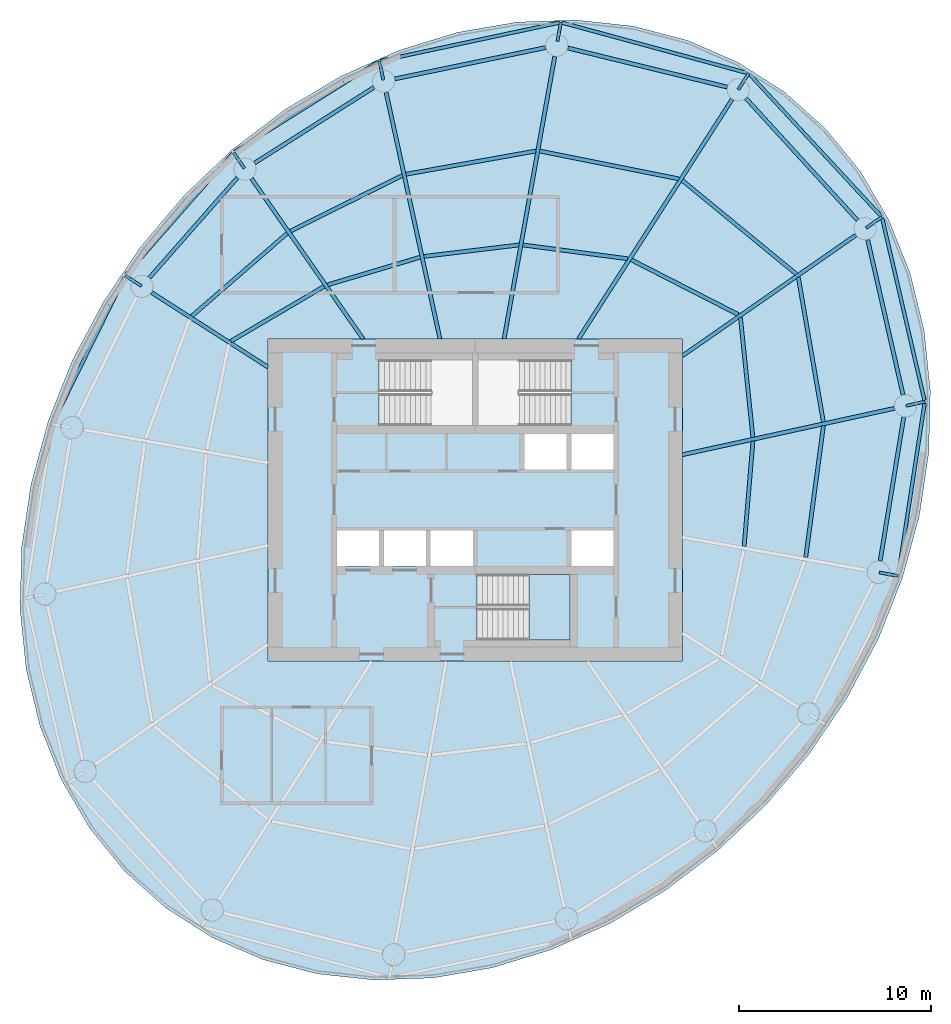
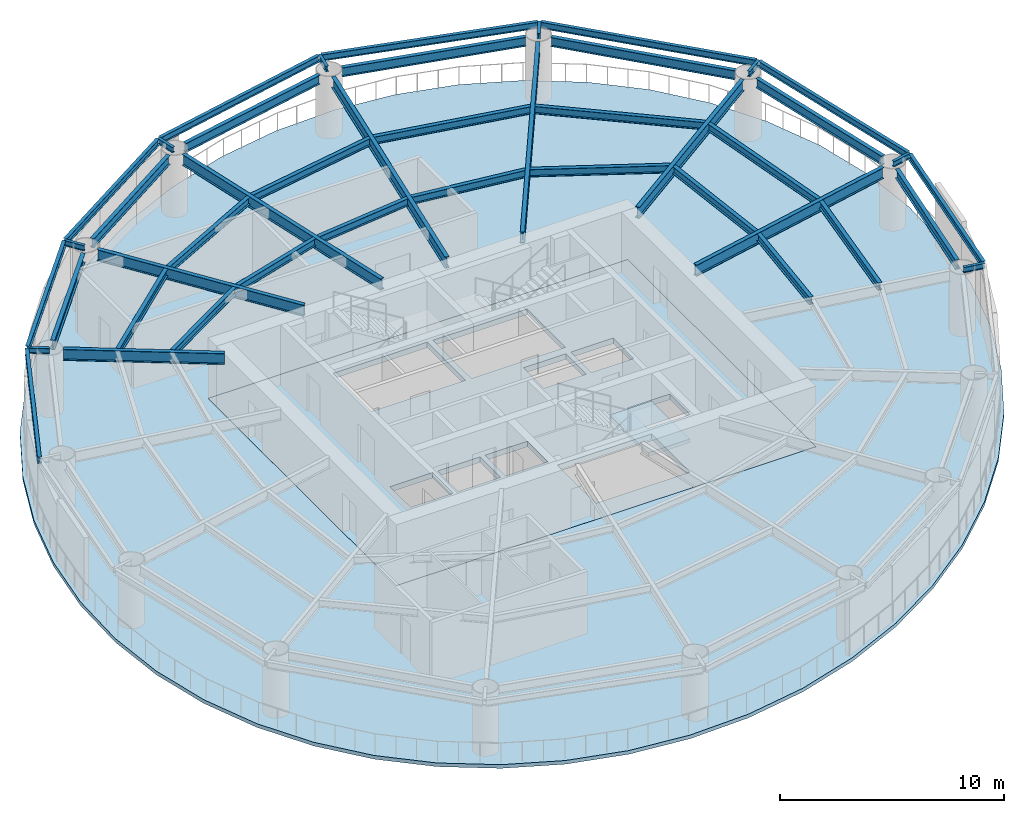
# One storey, part 2 of 8: 44 beams, 3 slabs, 1 element without a shape of its own.
"""IFC4 building model written with IfcOpenShell, lengths in metres."""

from ifc_helpers import new_model, si_unit, direction, frame, origin, origin_2d, place, context, subcontext, project, spatial, polyline, i_section, outline, extrude, material, layer, layer_set, material_profile, profile_set, type_object, element, aggregate, save


model = new_model("IFC4")

# Units and contexts
model_context = context("Model", 3, precision=1e-05, world=origin(), true_north=direction((0.0, 1.0)))
body_context = subcontext(model_context, "Body", "Model", "MODEL_VIEW")
ifc_project = project(units=[si_unit("LENGTHUNIT", "METRE"), si_unit("AREAUNIT", "SQUARE_METRE"), si_unit("VOLUMEUNIT", "CUBIC_METRE"), si_unit("PLANEANGLEUNIT", "RADIAN"), si_unit("MASSUNIT", "GRAM", prefix="KILO")], contexts=[model_context])

# Site, building, storey
site_placement = place(None, origin())
site = spatial("IfcSite", under=ifc_project, at=site_placement, CompositionType="ELEMENT")
building_placement = place(site_placement, origin())
building = spatial("IfcBuilding", under=site, at=building_placement, Name="Vermilion Reach Broadcast Tower", CompositionType="ELEMENT")
storey_placement = place(building_placement, frame((0.0, 0.0, 242.5)))
storey = spatial("IfcBuildingStorey", under=building, at=storey_placement, Name="L60", CompositionType="ELEMENT", Elevation=242.5)

# Beams
ifc_material_1 = material(Name="Steel S355J2", Category="steel")
ifc_material_profile_1 = material_profile(ifc_material_1, i_section(OverallWidth=0.175048828125, OverallDepth=0.35009765625, WebThickness=0.007080078125, FlangeThickness=0.010986328125, at=origin_2d()), Name="S355J2 HN 350x175x7x11")
ifc_profile_set_1 = profile_set([ifc_material_profile_1], Name="Steel S355J2")
beam_type_1 = type_object("IfcBeamType", Name="EB4 HN 350x175x7x11", PredefinedType="BEAM", material=ifc_profile_set_1)
beam_1_placement = place(storey_placement, frame((8.175537109375, 22.2451171875, 3.22509765625), z_axis=(-0.964931144882, 0.26250311548, 0.0), x_axis=(-0.26250311548, -0.964931144882, 0.0)))
element("IfcBeam", 1, at=beam_1_placement, inside=storey, type_object=beam_type_1, Name="Edge beam EB4-01", PredefinedType="BEAM", context=body_context, shape_type="SweptSolid", body=[
    extrude(i_section(OverallWidth=0.175048828125, OverallDepth=0.35009765625, WebThickness=0.007080078125, FlangeThickness=0.010986328125, at=origin_2d()), origin(), (0.0, 0.0, 1.0), 9.98876953125),
])
beam_2_placement = place(storey_placement, frame((-1.61474609375, 24.8701171875, 3.22509765625), z_axis=(-0.977909243835, -0.209029928054, 0.0), x_axis=(0.209029928054, -0.977909243835, 0.0)))
element("IfcBeam", 2, at=beam_2_placement, inside=storey, type_object=beam_type_1, Name="Edge beam EB4-02", PredefinedType="BEAM", context=body_context, shape_type="SweptSolid", body=[
    extrude(i_section(OverallWidth=0.175048828125, OverallDepth=0.35009765625, WebThickness=0.007080078125, FlangeThickness=0.010986328125, at=origin_2d()), origin(), (0.0, 0.0, 1.0), 9.52001953125),
])
beam_3_placement = place(storey_placement, frame((-11.0654296875, 22.822021484375, 3.22509765625), z_axis=(-0.847297137306, -0.531119159053, 0.0), x_axis=(0.531119159053, -0.847297137306, 0.0)))
element("IfcBeam", 3, at=beam_3_placement, inside=storey, type_object=beam_type_1, Name="Edge beam EB4-03", PredefinedType="BEAM", context=body_context, shape_type="SweptSolid", body=[
    extrude(i_section(OverallWidth=0.175048828125, OverallDepth=0.35009765625, WebThickness=0.007080078125, FlangeThickness=0.010986328125, at=origin_2d()), origin(), (0.0, 0.0, 1.0), 8.81201171875),
])
beam_4_placement = place(storey_placement, frame((-18.646240234375, 18.0439453125, 3.22509765625), z_axis=(-0.659728565975, -0.751503971537, 0.0), x_axis=(0.751503971537, -0.659728565975, 0.0)))
element("IfcBeam", 4, at=beam_4_placement, inside=storey, type_object=beam_type_1, Name="Edge beam EB4-04", PredefinedType="BEAM", context=body_context, shape_type="SweptSolid", body=[
    extrude(i_section(OverallWidth=0.175048828125, OverallDepth=0.35009765625, WebThickness=0.007080078125, FlangeThickness=0.010986328125, at=origin_2d()), origin(), (0.0, 0.0, 1.0), 8.38232421875),
])
beam_5_placement = place(storey_placement, frame((-24.259765625, 11.619873046875, 3.22509765625), z_axis=(-0.4421676497, -0.896932421958, 0.0), x_axis=(0.896932421958, -0.4421676497, 0.0)))
element("IfcBeam", 5, at=beam_5_placement, inside=storey, type_object=beam_type_1, Name="Edge beam EB4-05", PredefinedType="BEAM", context=body_context, shape_type="SweptSolid", body=[
    extrude(i_section(OverallWidth=0.175048828125, OverallDepth=0.35009765625, WebThickness=0.007080078125, FlangeThickness=0.010986328125, at=origin_2d()), origin(), (0.0, 0.0, 1.0), 8.46923828125),
])
beam_6_placement = place(storey_placement, frame((16.050537109375, -3.87939453125, 3.22509765625), z_axis=(0.15104669572, 0.988526628732, 0.0), x_axis=(-0.988526628732, 0.15104669572, 0.0)))
element("IfcBeam", 6, at=beam_6_placement, inside=storey, type_object=beam_type_1, Name="Edge beam EB4-14", PredefinedType="BEAM", context=body_context, shape_type="SweptSolid", body=[
    extrude(i_section(OverallWidth=0.175048828125, OverallDepth=0.35009765625, WebThickness=0.007080078125, FlangeThickness=0.010986328125, at=origin_2d()), origin(), (0.0, 0.0, 1.0), 9.02392578125),
])
beam_7_placement = place(storey_placement, frame((17.40869140625, 5.193603515625, 3.22509765625), z_axis=(-0.226296896965, 0.974058373212, 0.0), x_axis=(-0.974058373212, -0.226296896965, 0.0)))
element("IfcBeam", 7, at=beam_7_placement, inside=storey, type_object=beam_type_1, Name="Edge beam EB4-15", PredefinedType="BEAM", context=body_context, shape_type="SweptSolid", body=[
    extrude(i_section(OverallWidth=0.175048828125, OverallDepth=0.35009765625, WebThickness=0.007080078125, FlangeThickness=0.010986328125, at=origin_2d()), origin(), (0.0, 0.0, 1.0), 9.7236328125),
])
beam_8_placement = place(storey_placement, frame((15.138427734375, 14.79931640625, 3.22509765625), z_axis=(-0.680030753831, 0.733183588089, 0.0), x_axis=(-0.733183588089, -0.680030753831, 0.0)))
element("IfcBeam", 8, at=beam_8_placement, inside=storey, type_object=beam_type_1, Name="Edge beam EB4-16", PredefinedType="BEAM", context=body_context, shape_type="SweptSolid", body=[
    extrude(i_section(OverallWidth=0.175048828125, OverallDepth=0.35009765625, WebThickness=0.007080078125, FlangeThickness=0.010986328125, at=origin_2d()), origin(), (0.0, 0.0, 1.0), 10.0498046875),
])
ifc_material_2 = material(Name="Steel S355J2", Category="steel")
ifc_material_profile_2 = material_profile(ifc_material_2, i_section(OverallWidth=0.199951171875, OverallDepth=0.60009765625, WebThickness=0.010986328125, FlangeThickness=0.01708984375, at=origin_2d()), Name="S355J2 HN 600x200x11x17")
ifc_profile_set_2 = profile_set([ifc_material_profile_2], Name="Steel S355J2")
beam_type_2 = type_object("IfcBeamType", Name="G4 HN 600x200x11x17", PredefinedType="BEAM", material=ifc_profile_set_2)
beam_9_placement = place(storey_placement, frame((-0.613525390625, 8.39990234375, 3.10009765625), z_axis=(0.539796447586, 0.84179557802, 0.0), x_axis=(-0.84179557802, 0.539796447586, 0.0)))
element("IfcBeam", 9, at=beam_9_placement, inside=storey, type_object=beam_type_2, Name="Girder G4-01", PredefinedType="BEAM", context=body_context, shape_type="SweptSolid", body=[
    extrude(i_section(OverallWidth=0.199951171875, OverallDepth=0.60009765625, WebThickness=0.010986328125, FlangeThickness=0.01708984375, at=origin_2d()), origin(), (0.0, 0.0, 1.0), 14.8076171875),
])
beam_10_placement = place(storey_placement, frame((-4.4931640625, 8.39990234375, 3.10009765625), z_axis=(0.176574729047, 0.984287237072, 0.0), x_axis=(-0.984287237072, 0.176574729047, 0.0)))
element("IfcBeam", 10, at=beam_10_placement, inside=storey, type_object=beam_type_2, Name="Girder G4-02", PredefinedType="BEAM", context=body_context, shape_type="SweptSolid", body=[
    extrude(i_section(OverallWidth=0.199951171875, OverallDepth=0.60009765625, WebThickness=0.010986328125, FlangeThickness=0.01708984375, at=origin_2d()), origin(), (0.0, 0.0, 1.0), 14.935302734375),
])
beam_11_placement = place(storey_placement, frame((-7.836181640625, 8.39990234375, 3.10009765625), z_axis=(-0.213538346548, 0.976934682849, 0.0), x_axis=(-0.976934682849, -0.213538346548, 0.0)))
element("IfcBeam", 11, at=beam_11_placement, inside=storey, type_object=beam_type_2, Name="Girder G4-03", PredefinedType="BEAM", context=body_context, shape_type="SweptSolid", body=[
    extrude(i_section(OverallWidth=0.199951171875, OverallDepth=0.60009765625, WebThickness=0.010986328125, FlangeThickness=0.01708984375, at=origin_2d()), origin(), (0.0, 0.0, 1.0), 13.135498046875),
])
beam_12_placement = place(storey_placement, frame((-11.8447265625, 8.39990234375, 3.10009765625), z_axis=(-0.571134149017, 0.8208567377, 0.0), x_axis=(-0.8208567377, -0.571134149017, 0.0)))
element("IfcBeam", 12, at=beam_12_placement, inside=storey, type_object=beam_type_2, Name="Girder G4-04", PredefinedType="BEAM", context=body_context, shape_type="SweptSolid", body=[
    extrude(i_section(OverallWidth=0.199951171875, OverallDepth=0.60009765625, WebThickness=0.010986328125, FlangeThickness=0.01708984375, at=origin_2d()), origin(), (0.0, 0.0, 1.0), 10.16552734375),
])
beam_13_placement = place(storey_placement, frame((-16.800048828125, 6.925537109375, 3.10009765625), z_axis=(-0.841798504642, 0.539791883584, 0.0), x_axis=(-0.539791883584, -0.841798504642, 0.0)))
element("IfcBeam", 13, at=beam_13_placement, inside=storey, type_object=beam_type_2, Name="Girder G4-05", PredefinedType="BEAM", context=body_context, shape_type="SweptSolid", body=[
    extrude(i_section(OverallWidth=0.199951171875, OverallDepth=0.60009765625, WebThickness=0.010986328125, FlangeThickness=0.01708984375, at=origin_2d()), origin(), (0.0, 0.0, 1.0), 7.1962890625),
])
beam_14_placement = place(storey_placement, frame((4.800048828125, 2.360595703125, 3.10009765625), z_axis=(0.976930175286, 0.213558967537, 0.0), x_axis=(-0.213558967537, 0.976930175286, 0.0)))
element("IfcBeam", 14, at=beam_14_placement, inside=storey, type_object=beam_type_2, Name="Girder G4-15", PredefinedType="BEAM", context=body_context, shape_type="SweptSolid", body=[
    extrude(i_section(OverallWidth=0.199951171875, OverallDepth=0.60009765625, WebThickness=0.010986328125, FlangeThickness=0.01708984375, at=origin_2d()), origin(), (0.0, 0.0, 1.0), 11.29833984375),
])
beam_15_placement = place(storey_placement, frame((4.800048828125, 7.5146484375, 3.10009765625), z_axis=(0.820848627818, 0.571145804684, 0.0), x_axis=(-0.571145804684, 0.820848627818, 0.0)))
element("IfcBeam", 15, at=beam_15_placement, inside=storey, type_object=beam_type_2, Name="Girder G4-16", PredefinedType="BEAM", context=body_context, shape_type="SweptSolid", body=[
    extrude(i_section(OverallWidth=0.199951171875, OverallDepth=0.60009765625, WebThickness=0.010986328125, FlangeThickness=0.01708984375, at=origin_2d()), origin(), (0.0, 0.0, 1.0), 10.99560546875),
])
ifc_material_3 = material(Name="Steel S355J2", Category="steel")
ifc_material_profile_3 = material_profile(ifc_material_3, i_section(OverallWidth=0.14990234375, OverallDepth=0.300048828125, WebThickness=0.006591796875, FlangeThickness=0.009033203125, at=origin_2d()), Name="S355J2 HN 300x150x6.5x9")
ifc_profile_set_3 = profile_set([ifc_material_profile_3], Name="Steel S355J2")
beam_type_3 = type_object("IfcBeamType", Name="GS4 HN 300x150x6.5x9", PredefinedType="BEAM", material=ifc_profile_set_3)
for number, where, z_axis, x_axis, name in (
    (16, (7.711669921875, 21.382568359375, 3.25), (0.539794777091, 0.841796649213, 0.0), (-0.841796649213, 0.539794777091, 0.0), "Cantilever stub GS4-01"),
    (17, (-1.712158203125, 23.902587890625, 3.25), (0.176500327456, 0.984300581331, 0.0), (-0.984300581331, 0.176500327456, 0.0), "Cantilever stub GS4-02"),
):
    element("IfcBeam", number, at=place(storey_placement, frame(where, z_axis=z_axis, x_axis=x_axis)), inside=storey, type_object=beam_type_3, Name=name, PredefinedType="BEAM", context=body_context, shape_type="SweptSolid", body=[
        extrude(i_section(OverallWidth=0.14990234375, OverallDepth=0.300048828125, WebThickness=0.006591796875, FlangeThickness=0.009033203125, at=origin_2d()), origin(), (0.0, 0.0, 1.0), 1.0),
    ])
beam_16_placement = place(storey_placement, frame((-10.7841796875, 21.887451171875, 3.25), z_axis=(-0.213594957215, 0.976922307173, 0.0), x_axis=(-0.976922307173, -0.213594957215, 0.0)))
element("IfcBeam", 18, at=beam_16_placement, inside=storey, type_object=beam_type_3, Name="Cantilever stub GS4-03", PredefinedType="BEAM", context=body_context, shape_type="SweptSolid", body=[
    extrude(i_section(OverallWidth=0.14990234375, OverallDepth=0.300048828125, WebThickness=0.006591796875, FlangeThickness=0.009033203125, at=origin_2d()), origin(), (0.0, 0.0, 1.0), 1.000244140625),
])
for number, where, z_axis, x_axis, name in (
    (19, (-18.024169921875, 17.281005859375, 3.25), (-0.570985808908, 0.82095992961, 0.0), (-0.82095992961, -0.570985808908, 0.0), "Cantilever stub GS4-04"),
    (20, (-23.384521484375, 11.147705078125, 3.25), (-0.841796649213, 0.539794777091, 0.0), (-0.539794777091, -0.841796649213, 0.0), "Cantilever stub GS4-05"),
):
    element("IfcBeam", number, at=place(storey_placement, frame(where, z_axis=z_axis, x_axis=x_axis)), inside=storey, type_object=beam_type_3, Name=name, PredefinedType="BEAM", context=body_context, shape_type="SweptSolid", body=[
        extrude(i_section(OverallWidth=0.14990234375, OverallDepth=0.300048828125, WebThickness=0.006591796875, FlangeThickness=0.009033203125, at=origin_2d()), origin(), (0.0, 0.0, 1.0), 1.0),
    ])
beam_17_placement = place(storey_placement, frame((15.054931640625, -3.777099609375, 3.25), z_axis=(0.984292973606, -0.176542748677, 0.0), x_axis=(0.176542748677, 0.984292973606, 0.0)))
element("IfcBeam", 21, at=beam_17_placement, inside=storey, type_object=beam_type_3, Name="Cantilever stub GS4-14", PredefinedType="BEAM", context=body_context, shape_type="SweptSolid", body=[
    extrude(i_section(OverallWidth=0.14990234375, OverallDepth=0.300048828125, WebThickness=0.006591796875, FlangeThickness=0.009033203125, at=origin_2d()), origin(), (0.0, 0.0, 1.0), 0.999755859375),
])
for number, where, z_axis, x_axis, name in (
    (22, (16.44873046875, 4.906982421875, 3.25), (0.976922307173, 0.213594957215, 0.0), (-0.213594957215, 0.976922307173, 0.0), "Cantilever stub GS4-15"),
    (23, (14.368896484375, 14.172607421875, 3.25), (0.820845498428, 0.571150302207, 0.0), (-0.571150302207, 0.820845498428, 0.0), "Cantilever stub GS4-16"),
):
    element("IfcBeam", number, at=place(storey_placement, frame(where, z_axis=z_axis, x_axis=x_axis)), inside=storey, type_object=beam_type_3, Name=name, PredefinedType="BEAM", context=body_context, shape_type="SweptSolid", body=[
        extrude(i_section(OverallWidth=0.14990234375, OverallDepth=0.300048828125, WebThickness=0.006591796875, FlangeThickness=0.009033203125, at=origin_2d()), origin(), (0.0, 0.0, 1.0), 1.000244140625),
    ])
ifc_material_4 = material(Name="Steel S355J2", Category="steel")
ifc_material_profile_4 = material_profile(ifc_material_4, i_section(OverallWidth=0.199951171875, OverallDepth=0.5, WebThickness=0.010009765625, FlangeThickness=0.01611328125, at=origin_2d()), Name="S355J2 HN 500x200x10x16")
ifc_profile_set_4 = profile_set([ifc_material_profile_4], Name="Steel S355J2")
beam_type_4 = type_object("IfcBeamType", Name="RB4 HN 500x200x10x16", PredefinedType="BEAM", material=ifc_profile_set_4)
beam_18_placement = place(storey_placement, frame((7.120849609375, 21.51318359375, 3.14990234375), z_axis=(-0.971158622271, 0.238434331398, 0.0), x_axis=(-0.238434331398, -0.971158622271, 0.0)))
element("IfcBeam", 24, at=beam_18_placement, inside=storey, type_object=beam_type_4, Name="Ring beam RB4-01", PredefinedType="BEAM", context=body_context, shape_type="SweptSolid", body=[
    extrude(i_section(OverallWidth=0.199951171875, OverallDepth=0.5, WebThickness=0.010009765625, FlangeThickness=0.01611328125, at=origin_2d()), origin(), (0.0, 0.0, 1.0), 8.534423828125),
])
beam_19_placement = place(storey_placement, frame((-2.337646484375, 23.569091796875, 3.14990234375), z_axis=(-0.97912342484, -0.203266620302, 0.0), x_axis=(0.203266620302, -0.97912342484, 0.0)))
element("IfcBeam", 25, at=beam_19_placement, inside=storey, type_object=beam_type_4, Name="Ring beam RB4-02", PredefinedType="BEAM", context=body_context, shape_type="SweptSolid", body=[
    extrude(i_section(OverallWidth=0.199951171875, OverallDepth=0.5, WebThickness=0.010009765625, FlangeThickness=0.01611328125, at=origin_2d()), origin(), (0.0, 0.0, 1.0), 8.01123046875),
])
beam_20_placement = place(storey_placement, frame((-11.27587890625, 21.497314453125, 3.14990234375), z_axis=(-0.84446426774, -0.535611893549, 0.0), x_axis=(0.535611893549, -0.84446426774, 0.0)))
element("IfcBeam", 26, at=beam_20_placement, inside=storey, type_object=beam_type_4, Name="Ring beam RB4-03", PredefinedType="BEAM", context=body_context, shape_type="SweptSolid", body=[
    extrude(i_section(OverallWidth=0.199951171875, OverallDepth=0.5, WebThickness=0.010009765625, FlangeThickness=0.01611328125, at=origin_2d()), origin(), (0.0, 0.0, 1.0), 7.3544921875),
])
beam_21_placement = place(storey_placement, frame((-18.3896484375, 16.786376953125, 3.14990234375), z_axis=(-0.660565141761, -0.750768735024, 0.0), x_axis=(0.750768735024, -0.660565141761, 0.0)))
element("IfcBeam", 27, at=beam_21_placement, inside=storey, type_object=beam_type_4, Name="Ring beam RB4-04", PredefinedType="BEAM", context=body_context, shape_type="SweptSolid", body=[
    extrude(i_section(OverallWidth=0.199951171875, OverallDepth=0.5, WebThickness=0.010009765625, FlangeThickness=0.01611328125, at=origin_2d()), origin(), (0.0, 0.0, 1.0), 6.9287109375),
])
beam_22_placement = place(storey_placement, frame((15.099609375, -3.175537109375, 3.14990234375), z_axis=(0.161778110263, 0.986827159659, 0.0), x_axis=(-0.986827159659, 0.161778110263, 0.0)))
element("IfcBeam", 28, at=beam_22_placement, inside=storey, type_object=beam_type_4, Name="Ring beam RB4-14", PredefinedType="BEAM", context=body_context, shape_type="SweptSolid", body=[
    extrude(i_section(OverallWidth=0.199951171875, OverallDepth=0.5, WebThickness=0.010009765625, FlangeThickness=0.01611328125, at=origin_2d()), origin(), (0.0, 0.0, 1.0), 7.584716796875),
])
beam_23_placement = place(storey_placement, frame((16.290283203125, 5.486572265625, 3.14990234375), z_axis=(-0.222283068275, 0.974982172944, 0.0), x_axis=(-0.974982172944, -0.222283068275, 0.0)))
element("IfcBeam", 29, at=beam_23_placement, inside=storey, type_object=beam_type_4, Name="Ring beam RB4-15", PredefinedType="BEAM", context=body_context, shape_type="SweptSolid", body=[
    extrude(i_section(OverallWidth=0.199951171875, OverallDepth=0.5, WebThickness=0.010009765625, FlangeThickness=0.01611328125, at=origin_2d()), origin(), (0.0, 0.0, 1.0), 8.272705078125),
])
beam_24_placement = place(storey_placement, frame((13.9130859375, 14.580078125, 3.14990234375), z_axis=(-0.674868141417, 0.737938338684, 0.0), x_axis=(-0.737938338684, -0.674868141417, 0.0)))
element("IfcBeam", 30, at=beam_24_placement, inside=storey, type_object=beam_type_4, Name="Ring beam RB4-16", PredefinedType="BEAM", context=body_context, shape_type="SweptSolid", body=[
    extrude(i_section(OverallWidth=0.199951171875, OverallDepth=0.5, WebThickness=0.010009765625, FlangeThickness=0.01611328125, at=origin_2d()), origin(), (0.0, 0.0, 1.0), 8.601318359375),
])
ifc_material_5 = material(Name="Steel S355J2", Category="steel")
ifc_material_profile_5 = material_profile(ifc_material_5, i_section(OverallWidth=0.199951171875, OverallDepth=0.39990234375, WebThickness=0.008056640625, FlangeThickness=0.012939453125, at=origin_2d()), Name="S355J2 HN 400x200x8x13")
ifc_profile_set_5 = profile_set([ifc_material_profile_5], Name="Steel S355J2")
beam_type_5 = type_object("IfcBeamType", Name="SB4 HN 400x200x8x13", PredefinedType="BEAM", material=ifc_profile_set_5)
beam_25_placement = place(storey_placement, frame((1.94140625, 12.5693359375, 3.199951171875), z_axis=(-0.991458070019, 0.130425823341, 0.0), x_axis=(-0.130425823341, -0.991458070019, 0.0)))
element("IfcBeam", 31, at=beam_25_placement, inside=storey, type_object=beam_type_5, Name="Secondary beam SB4-01-1", PredefinedType="BEAM", context=body_context, shape_type="SweptSolid", body=[
    extrude(i_section(OverallWidth=0.199951171875, OverallDepth=0.39990234375, WebThickness=0.008056640625, FlangeThickness=0.012939453125, at=origin_2d()), origin(), (0.0, 0.0, 1.0), 5.50341796875),
])
beam_26_placement = place(storey_placement, frame((4.60986328125, 16.73095703125, 3.199951171875), z_axis=(-0.9805717807, 0.196160604851, 0.0), x_axis=(-0.196160604851, -0.9805717807, 0.0)))
element("IfcBeam", 32, at=beam_26_placement, inside=storey, type_object=beam_type_5, Name="Secondary beam SB4-01-2", PredefinedType="BEAM", context=body_context, shape_type="SweptSolid", body=[
    extrude(i_section(OverallWidth=0.199951171875, OverallDepth=0.39990234375, WebThickness=0.008056640625, FlangeThickness=0.012939453125, at=origin_2d()), origin(), (0.0, 0.0, 1.0), 7.390380859375),
])
beam_27_placement = place(storey_placement, frame((-3.718017578125, 13.28759765625, 3.199951171875), z_axis=(-0.99278788328, -0.119884189168, 0.0), x_axis=(0.119884189168, -0.99278788328, 0.0)))
element("IfcBeam", 33, at=beam_27_placement, inside=storey, type_object=beam_type_5, Name="Secondary beam SB4-02-1", PredefinedType="BEAM", context=body_context, shape_type="SweptSolid", body=[
    extrude(i_section(OverallWidth=0.199951171875, OverallDepth=0.39990234375, WebThickness=0.008056640625, FlangeThickness=0.012939453125, at=origin_2d()), origin(), (0.0, 0.0, 1.0), 4.9892578125),
])
beam_28_placement = place(storey_placement, frame((-2.840087890625, 18.181640625, 3.199951171875), z_axis=(-0.984415281892, -0.175859468829, 0.0), x_axis=(0.175859468829, -0.984415281892, 0.0)))
element("IfcBeam", 34, at=beam_28_placement, inside=storey, type_object=beam_type_5, Name="Secondary beam SB4-02-2", PredefinedType="BEAM", context=body_context, shape_type="SweptSolid", body=[
    extrude(i_section(OverallWidth=0.199951171875, OverallDepth=0.39990234375, WebThickness=0.008056640625, FlangeThickness=0.012939453125, at=origin_2d()), origin(), (0.0, 0.0, 1.0), 6.874755859375),
])
beam_29_placement = place(storey_placement, frame((-8.8671875, 12.64892578125, 3.199951171875), z_axis=(-0.958173460215, -0.28618808525, 0.0), x_axis=(0.28618808525, -0.958173460215, 0.0)))
element("IfcBeam", 35, at=beam_29_placement, inside=storey, type_object=beam_type_5, Name="Secondary beam SB4-03-1", PredefinedType="BEAM", context=body_context, shape_type="SweptSolid", body=[
    extrude(i_section(OverallWidth=0.199951171875, OverallDepth=0.39990234375, WebThickness=0.008056640625, FlangeThickness=0.012939453125, at=origin_2d()), origin(), (0.0, 0.0, 1.0), 5.02197265625),
])
beam_30_placement = place(storey_placement, frame((-9.79833984375, 16.908935546875, 3.199951171875), z_axis=(-0.895183615542, -0.445697536974, 0.0), x_axis=(0.445697536974, -0.895183615542, 0.0)))
element("IfcBeam", 36, at=beam_30_placement, inside=storey, type_object=beam_type_5, Name="Secondary beam SB4-03-2", PredefinedType="BEAM", context=body_context, shape_type="SweptSolid", body=[
    extrude(i_section(OverallWidth=0.199951171875, OverallDepth=0.39990234375, WebThickness=0.008056640625, FlangeThickness=0.012939453125, at=origin_2d()), origin(), (0.0, 0.0, 1.0), 6.508544921875),
])
beam_31_placement = place(storey_placement, frame((-13.866455078125, 11.130615234375, 3.199951171875), z_axis=(-0.862172572268, -0.506614701356, 0.0), x_axis=(0.506614701356, -0.862172572268, 0.0)))
element("IfcBeam", 37, at=beam_31_placement, inside=storey, type_object=beam_type_5, Name="Secondary beam SB4-04-1", PredefinedType="BEAM", context=body_context, shape_type="SweptSolid", body=[
    extrude(i_section(OverallWidth=0.199951171875, OverallDepth=0.39990234375, WebThickness=0.008056640625, FlangeThickness=0.012939453125, at=origin_2d()), origin(), (0.0, 0.0, 1.0), 5.632568359375),
])
beam_32_placement = place(storey_placement, frame((-15.791259765625, 13.89697265625, 3.199951171875), z_axis=(-0.755129308567, -0.655575874589, 0.0), x_axis=(0.655575874589, -0.755129308567, 0.0)))
element("IfcBeam", 38, at=beam_32_placement, inside=storey, type_object=beam_type_5, Name="Secondary beam SB4-04-2", PredefinedType="BEAM", context=body_context, shape_type="SweptSolid", body=[
    extrude(i_section(OverallWidth=0.199951171875, OverallDepth=0.39990234375, WebThickness=0.008056640625, FlangeThickness=0.012939453125, at=origin_2d()), origin(), (0.0, 0.0, 1.0), 6.57958984375),
])
beam_33_placement = place(storey_placement, frame((8.012451171875, -2.412109375, 3.199951171875), z_axis=(0.08339866655, 0.996516262997, 0.0), x_axis=(-0.996516262997, 0.08339866655, 0.0)))
element("IfcBeam", 39, at=beam_33_placement, inside=storey, type_object=beam_type_5, Name="Secondary beam SB4-14-1", PredefinedType="BEAM", context=body_context, shape_type="SweptSolid", body=[
    extrude(i_section(OverallWidth=0.199951171875, OverallDepth=0.39990234375, WebThickness=0.008056640625, FlangeThickness=0.012939453125, at=origin_2d()), origin(), (0.0, 0.0, 1.0), 5.49169921875),
])
beam_34_placement = place(storey_placement, frame((11.221435546875, -2.98779296875, 3.199951171875), z_axis=(0.133486718782, 0.991050602093, 0.0), x_axis=(-0.991050602093, 0.133486718782, 0.0)))
element("IfcBeam", 40, at=beam_34_placement, inside=storey, type_object=beam_type_5, Name="Secondary beam SB4-14-2", PredefinedType="BEAM", context=body_context, shape_type="SweptSolid", body=[
    extrude(i_section(OverallWidth=0.199951171875, OverallDepth=0.39990234375, WebThickness=0.008056640625, FlangeThickness=0.012939453125, at=origin_2d()), origin(), (0.0, 0.0, 1.0), 6.913330078125),
])
beam_35_placement = place(storey_placement, frame((8.46875, 3.264892578125, 3.199951171875), z_axis=(-0.103532173355, 0.994626105167, 0.0), x_axis=(-0.994626105167, -0.103532173355, 0.0)))
element("IfcBeam", 41, at=beam_35_placement, inside=storey, type_object=beam_type_5, Name="Secondary beam SB4-15-1", PredefinedType="BEAM", context=body_context, shape_type="SweptSolid", body=[
    extrude(i_section(OverallWidth=0.199951171875, OverallDepth=0.39990234375, WebThickness=0.008056640625, FlangeThickness=0.012939453125, at=origin_2d()), origin(), (0.0, 0.0, 1.0), 6.26318359375),
])
beam_36_placement = place(storey_placement, frame((12.141357421875, 4.067626953125, 3.199951171875), z_axis=(-0.170926997669, 0.985283695931, 0.0), x_axis=(-0.985283695931, -0.170926997669, 0.0)))
element("IfcBeam", 42, at=beam_36_placement, inside=storey, type_object=beam_type_5, Name="Secondary beam SB4-15-2", PredefinedType="BEAM", context=body_context, shape_type="SweptSolid", body=[
    extrude(i_section(OverallWidth=0.199951171875, OverallDepth=0.39990234375, WebThickness=0.008056640625, FlangeThickness=0.012939453125, at=origin_2d()), origin(), (0.0, 0.0, 1.0), 7.63720703125),
])
beam_37_placement = place(storey_placement, frame((7.707763671875, 9.659423828125, 3.199951171875), z_axis=(-0.89015575218, 0.455656380249, 0.0), x_axis=(-0.455656380249, -0.89015575218, 0.0)))
element("IfcBeam", 43, at=beam_37_placement, inside=storey, type_object=beam_type_5, Name="Secondary beam SB4-16-1", PredefinedType="BEAM", context=body_context, shape_type="SweptSolid", body=[
    extrude(i_section(OverallWidth=0.199951171875, OverallDepth=0.39990234375, WebThickness=0.008056640625, FlangeThickness=0.012939453125, at=origin_2d()), origin(), (0.0, 0.0, 1.0), 6.25439453125),
])
beam_38_placement = place(storey_placement, frame((10.73681640625, 11.76708984375, 3.199951171875), z_axis=(-0.772952000494, 0.6344645025, 0.0), x_axis=(-0.6344645025, -0.772952000494, 0.0)))
element("IfcBeam", 44, at=beam_38_placement, inside=storey, type_object=beam_type_5, Name="Secondary beam SB4-16-2", PredefinedType="BEAM", context=body_context, shape_type="SweptSolid", body=[
    extrude(i_section(OverallWidth=0.199951171875, OverallDepth=0.39990234375, WebThickness=0.008056640625, FlangeThickness=0.012939453125, at=origin_2d()), origin(), (0.0, 0.0, 1.0), 7.689697265625),
])

# Slab
ifc_material_6 = material(Name="Concrete C40", Category="concrete")
ifc_layer_1 = layer(ifc_material_6, 0.300048828125)
ifc_layer_set_1 = layer_set([ifc_layer_1], Name="Core floor slab 300 mm Concrete C40")
slab_type_1 = type_object("IfcSlabType", Name="Core floor slab 300 mm Concrete C40", PredefinedType="FLOOR", material=ifc_layer_set_1)
slab_1_placement = place(storey_placement, frame((0.0, 0.0, -0.300048828125)))
element("IfcSlab", 45, at=slab_1_placement, inside=storey, type_object=slab_type_1, Name="L60 core floor", PredefinedType="FLOOR", context=body_context, shape_type="SweptSolid", body=[
    extrude(outline(polyline([(-16.800048828125, -8.39990234375), (4.800048828125, -8.39990234375), (4.800048828125, 8.39990234375), (-16.800048828125, 8.39990234375), (-16.800048828125, -8.39990234375)]), holes=[polyline([(-3.433349609375, 1.60009765625), (-1.24169921875, 1.60009765625), (-1.24169921875, 3.429931640625), (-3.433349609375, 3.429931640625), (-3.433349609375, 1.60009765625)]), polyline([(-0.99169921875, 1.60009765625), (1.199951171875, 1.60009765625), (1.199951171875, 3.429931640625), (-0.99169921875, 3.429931640625), (-0.99169921875, 1.60009765625)]), polyline([(-13.199951171875, -3.429931640625), (-11.00830078125, -3.429931640625), (-11.00830078125, -1.60009765625), (-13.199951171875, -1.60009765625), (-13.199951171875, -3.429931640625)]), polyline([(-10.75830078125, -3.429931640625), (-8.566650390625, -3.429931640625), (-8.566650390625, -1.60009765625), (-10.75830078125, -1.60009765625), (-10.75830078125, -3.429931640625)]), polyline([(-8.316650390625, -3.429931640625), (-6.125, -3.429931640625), (-6.125, -1.60009765625), (-8.316650390625, -1.60009765625), (-8.316650390625, -3.429931640625)]), polyline([(-0.99169921875, -3.429931640625), (1.199951171875, -3.429931640625), (1.199951171875, -1.60009765625), (-0.99169921875, -1.60009765625), (-0.99169921875, -3.429931640625)]), polyline([(-10.999267578125, 3.8798828125), (-6.14990234375, 3.8798828125), (-6.14990234375, 7.300048828125), (-10.999267578125, 7.300048828125), (-10.999267578125, 3.8798828125)]), polyline([(-1.000732421875, 7.300048828125), (-5.85009765625, 7.300048828125), (-5.85009765625, 3.8798828125), (-1.000732421875, 3.8798828125), (-1.000732421875, 7.300048828125)]), polyline([(-5.8994140625, -7.300048828125), (-1.050048828125, -7.300048828125), (-1.050048828125, -3.8798828125), (-5.8994140625, -3.8798828125), (-5.8994140625, -7.300048828125)])]), origin(), (0.0, 0.0, 1.0), 0.300048828125),
])

# Stair, slab
ifc_material_7 = material(Name="Concrete C40", Category="concrete")
stair_type = type_object("IfcStairType", Name="Exit stair RC 22 risers 164 mm", PredefinedType="HALF_TURN_STAIR", material=ifc_material_7)
stair_placement = place(storey_placement, origin())
stair = element("IfcStair", 46, at=stair_placement, inside=storey, type_object=stair_type, Name="L60 Exit stair ST3", PredefinedType="HALF_TURN_STAIR")
ifc_material_8 = material(Name="Concrete C40", Category="concrete")
ifc_layer_2 = layer(ifc_material_8, 0.199951171875)
ifc_layer_set_2 = layer_set([ifc_layer_2], Name="Exit stair landing Concrete C40")
slab_type_2 = type_object("IfcSlabType", Name="Exit stair landing Concrete C40", PredefinedType="LANDING", material=ifc_layer_set_2)
slab_2_placement = place(storey_placement, frame((0.0, 0.0, 1.60009765625)))
slab_2 = element("IfcSlab", 47, at=slab_2_placement, type_object=slab_type_2, Name="ST3 landing 1", PredefinedType="LANDING", context=body_context, shape_type="SweptSolid", body=[
    extrude(outline(polyline([(-3.199951171875, -7.300048828125), (-1.050048828125, -7.300048828125), (-1.050048828125, -3.8798828125), (-3.199951171875, -3.8798828125), (-3.199951171875, -7.300048828125)])), origin(), (0.0, 0.0, 1.0), 0.199951171875),
])
aggregate(stair, [slab_2])

# Slab
ifc_material_9 = material(Name="Concrete C40", Category="concrete")
ifc_layer_3 = layer(ifc_material_9, 0.199951171875)
ifc_layer_set_3 = layer_set([ifc_layer_3], Name="Floor slab Concrete C40 200")
slab_type_3 = type_object("IfcSlabType", Name="Floor slab Concrete C40 200", PredefinedType="FLOOR", material=ifc_layer_set_3)
slab_3_placement = place(storey_placement, frame((0.0, 0.0, -0.199951171875)))
element("IfcSlab", 48, at=slab_3_placement, inside=storey, type_object=slab_type_3, Name="Floor slab L60", PredefinedType="FLOOR", context=body_context, shape_type="SweptSolid", body=[
    extrude(outline(polyline([(10.127197265625, 21.246826171875), (7.716552734375, 22.7900390625), (5.071533203125, 23.943115234375), (2.23681640625, 24.686767578125), (-0.73876953125, 25.0078125), (-3.804443359375, 24.901123046875), (-6.907470703125, 24.368408203125), (-9.9951171875, 23.418701171875), (-13.014404296875, 22.068115234375), (-15.91357421875, 20.340087890625), (-18.643310546875, 18.26416015625), (-21.156494140625, 15.87548828125), (-23.41064453125, 13.21533203125), (-25.36669921875, 10.3291015625), (-26.9912109375, 7.265869140625), (-28.2568359375, 4.07861328125), (-29.1416015625, 0.821533203125), (-29.63037109375, -2.44970703125), (-29.71484375, -5.67919921875), (-29.393310546875, -8.811279296875), (-28.671875, -11.79248046875), (-27.562255859375, -14.572265625), (-26.083740234375, -17.102294921875), (-24.26171875, -19.340087890625), (-22.127197265625, -21.246826171875), (-19.716552734375, -22.7900390625), (-17.071533203125, -23.943115234375), (-14.23681640625, -24.686767578125), (-11.26123046875, -25.0078125), (-8.195556640625, -24.901123046875), (-5.092529296875, -24.368408203125), (-2.0048828125, -23.418701171875), (1.014404296875, -22.068115234375), (3.91357421875, -20.340087890625), (6.643310546875, -18.26416015625), (9.156494140625, -15.87548828125), (11.41064453125, -13.21533203125), (13.36669921875, -10.3291015625), (14.9912109375, -7.265869140625), (16.2568359375, -4.07861328125), (17.1416015625, -0.821533203125), (17.63037109375, 2.44970703125), (17.71484375, 5.67919921875), (17.393310546875, 8.811279296875), (16.671875, 11.79248046875), (15.562255859375, 14.572265625), (14.083740234375, 17.102294921875), (12.26171875, 19.340087890625), (10.127197265625, 21.246826171875)]), holes=[polyline([(-16.800048828125, -8.39990234375), (4.800048828125, -8.39990234375), (4.800048828125, 8.39990234375), (-16.800048828125, 8.39990234375), (-16.800048828125, -8.39990234375)])]), origin(), (0.0, 0.0, 1.0), 0.199951171875),
])

save(model, "model.ifc")
